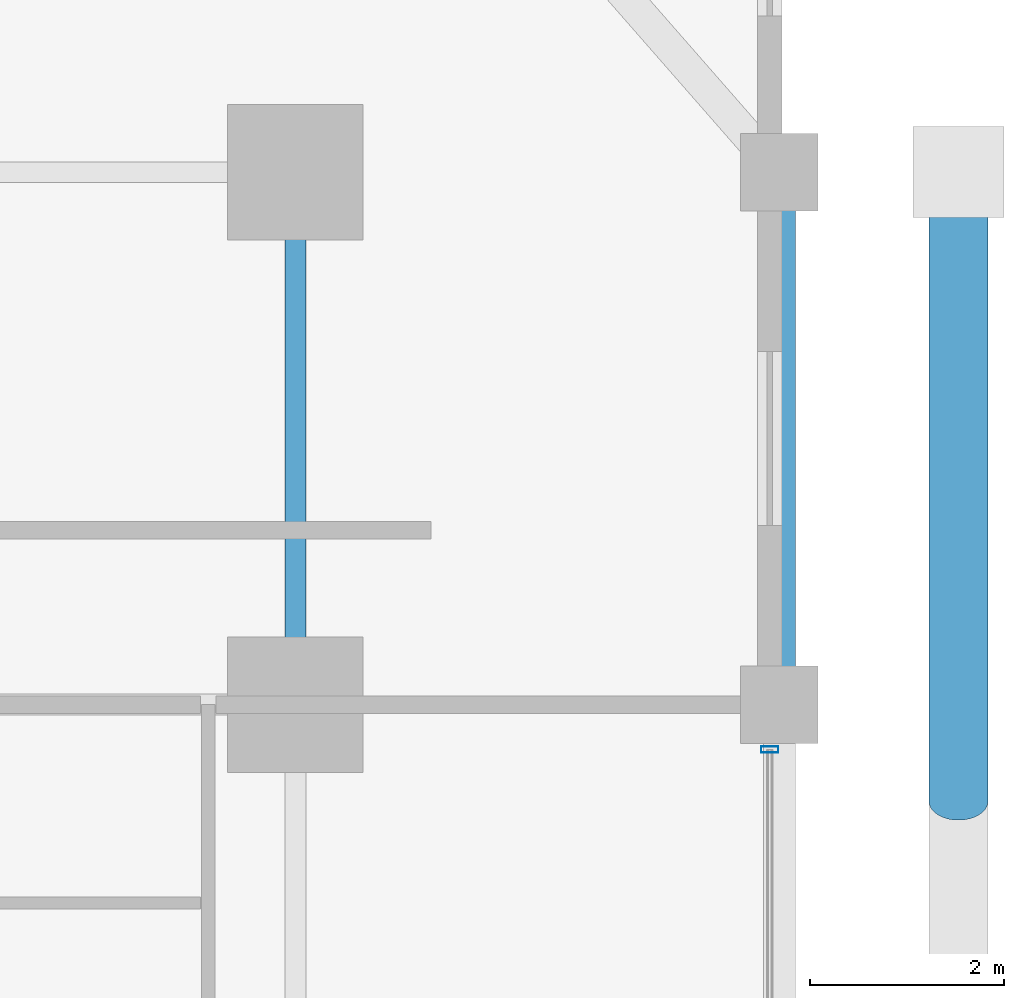
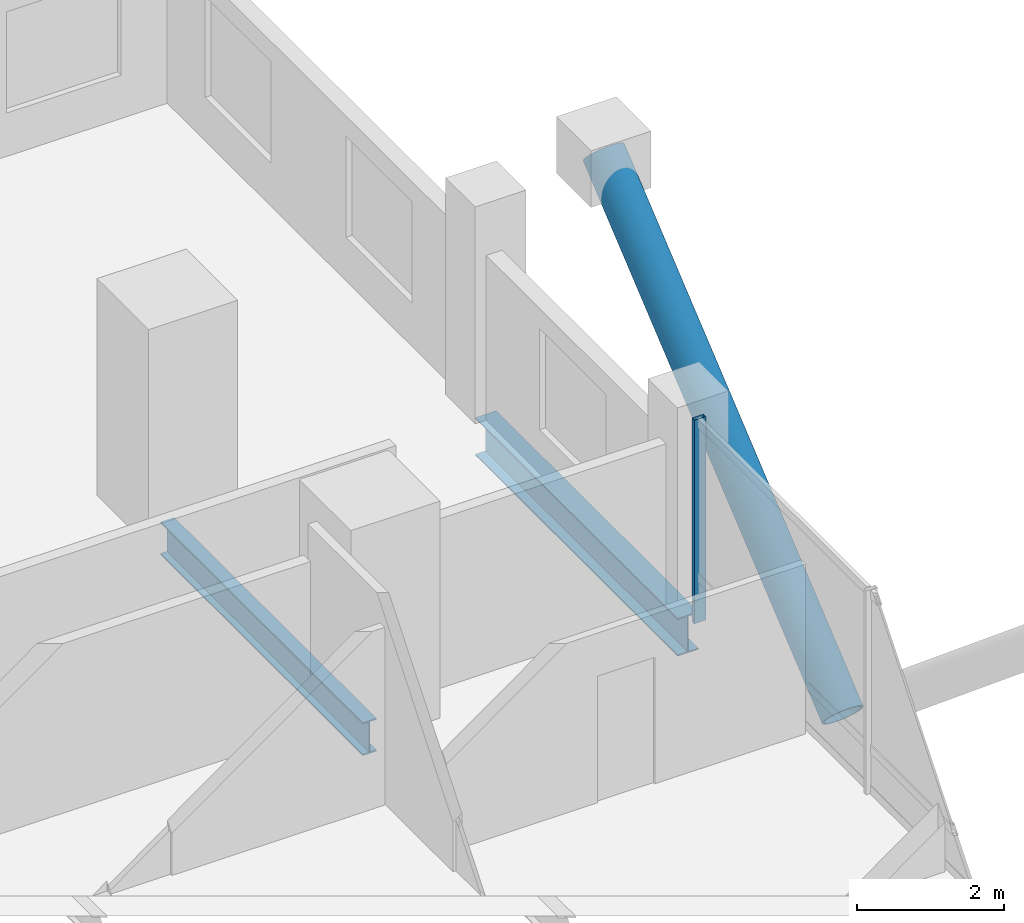
# One storey, part 15 of 23: 2 beams, 2 members, 1 element without a shape of its own.
"""IFC4 building model written with IfcOpenShell, lengths in metres."""

from ifc_helpers import new_model, si_unit, direction, frame, origin, origin_2d, place, context, subcontext, project, spatial, hollow_rectangle, hollow_circle, i_section, extrude, material, layer, layer_set, material_profile, profile_set, type_object, element, aggregate, save


model = new_model("IFC4")

# Units and contexts
model_context = context("Model", 3, precision=1e-05, world=origin(), true_north=direction((0.0, 1.0)))
body_context = subcontext(model_context, "Body", "Model", "MODEL_VIEW")
ifc_project = project(units=[si_unit("LENGTHUNIT", "METRE"), si_unit("AREAUNIT", "SQUARE_METRE"), si_unit("VOLUMEUNIT", "CUBIC_METRE"), si_unit("PLANEANGLEUNIT", "RADIAN"), si_unit("MASSUNIT", "GRAM", prefix="KILO")], contexts=[model_context])

# Site, building, storey
site_placement = place(None, origin())
site = spatial("IfcSite", under=ifc_project, at=site_placement, CompositionType="ELEMENT")
building_placement = place(site_placement, origin())
building = spatial("IfcBuilding", under=site, at=building_placement, Name="Barlavira Tower and Art Museum", CompositionType="ELEMENT")
storey_placement = place(building_placement, frame((0.0, 0.0, 68.39990234375)))
storey = spatial("IfcBuildingStorey", under=building, at=storey_placement, Name="L16", CompositionType="ELEMENT", Elevation=68.39990234375)

# Curtain wall, member
ifc_material_1 = material(Name="Low-iron coastal laminated glass", Category="glass")
ifc_layer = layer(ifc_material_1, 0.179931640625, Name="Low-iron coastal laminated glass")
ifc_layer_set = layer_set([ifc_layer], Name="Low-iron coastal laminated glass")
curtain_wall_type = type_object("IfcCurtainWallType", Name="Pale-Metal Unitised Curtain Wall Zone 1", PredefinedType="NOTDEFINED", material=ifc_layer_set)
curtain_wall_placement = place(storey_placement, origin())
curtain_wall = element("IfcCurtainWall", 1, at=curtain_wall_placement, inside=storey, type_object=curtain_wall_type, Name="L16 Curtain Wall CW1-L16-E-B3", PredefinedType="NOTDEFINED")
ifc_material_2 = material(Name="Pale anodised aluminium", Category="aluminium")
ifc_material_profile_1 = material_profile(ifc_material_2, hollow_rectangle(XDim=0.06494140625, YDim=0.179931640625, WallThickness=0.00390625, at=origin_2d()), Name="ALU-MULL 65x180x4")
ifc_profile_set_1 = profile_set([ifc_material_profile_1], Name="Pale anodised aluminium")
member_type_1 = type_object("IfcMemberType", Name="Curtain Wall Pale-Metal Mullion 65x180", PredefinedType="MULLION", material=ifc_profile_set_1)
member_1_placement = place(storey_placement, frame((21.89990234375, 7.034912109375, 0.0), z_axis=(0.0, 0.0, 1.0), x_axis=(0.0, 1.0, 0.0)))
member_1 = element("IfcMember", 2, at=member_1_placement, type_object=member_type_1, Name="CW1-L16-E-B3 Mullion 3", PredefinedType="MULLION", context=body_context, shape_type="SweptSolid", body=[
    extrude(hollow_rectangle(XDim=0.06494140625, YDim=0.179931640625, WallThickness=0.00390625, at=origin_2d()), origin(), (0.0, 0.0, 1.0), 3.380126953125),
])
aggregate(curtain_wall, [member_1])

# Member
ifc_material_3 = material(Name="Steel S355", Category="steel")
ifc_material_profile_2 = material_profile(ifc_material_3, hollow_circle(Radius=0.304931640625, WallThickness=0.028076171875, at=origin_2d()), Name="CHS 610.0x28.0")
ifc_profile_set_2 = profile_set([ifc_material_profile_2], Name="Steel S355")
member_type_2 = type_object("IfcMemberType", Name="Pale-Metal Exoskeleton Diagrid Tube CHS 610x28 Steel S355", PredefinedType="BRACE", material=ifc_profile_set_2)
member_2_placement = place(storey_placement, frame((23.85009765625, 6.5, -1.919921875), z_axis=(0.0, 0.769196053329, 0.639012857104), x_axis=(-1.0, 0.0, 0.0)))
element("IfcMember", 3, at=member_2_placement, inside=storey, type_object=member_type_2, Name="L16 Exoskeleton Diagrid Tube E", PredefinedType="BRACE", context=body_context, shape_type="SweptSolid", body=[
    extrude(hollow_circle(Radius=0.304931640625, WallThickness=0.028076171875, at=origin_2d()), origin(), (0.0, 0.0, 1.0), 8.450439453125),
])

# Beams
ifc_material_profile_3 = material_profile(ifc_material_3, i_section(OverallWidth=0.327880859375, OverallDepth=0.62890625, WebThickness=0.013916015625, FlangeThickness=0.021484375, at=origin_2d()), Name="W610x174.0")
ifc_profile_set_3 = profile_set([ifc_material_profile_3], Name="Steel S355")
beam_type_1 = type_object("IfcBeamType", Name="Perimeter Spandrel Edge Beam W610x174 Steel S355", PredefinedType="SPANDREL", material=ifc_profile_set_3)
beam_1_placement = place(storey_placement, frame((22.0, 7.5, -0.534423828125), z_axis=(0.0, 1.0, 0.0), x_axis=(-1.0, 0.0, 0.0)))
element("IfcBeam", 4, at=beam_1_placement, inside=storey, type_object=beam_type_1, Name="L16 Spandrel 7", PredefinedType="SPANDREL", context=body_context, shape_type="SweptSolid", body=[
    extrude(i_section(OverallWidth=0.327880859375, OverallDepth=0.62890625, WebThickness=0.013916015625, FlangeThickness=0.021484375, at=origin_2d()), origin(), (0.0, 0.0, 1.0), 5.5),
])
ifc_material_profile_4 = material_profile(ifc_material_3, i_section(OverallWidth=0.214111328125, OverallDepth=0.549072265625, WebThickness=0.0146484375, FlangeThickness=0.023681640625, at=origin_2d()), Name="W530x138.0")
ifc_profile_set_4 = profile_set([ifc_material_profile_4], Name="Steel S355")
beam_type_2 = type_object("IfcBeamType", Name="Zone 1 Primary Floor Girder W530x138 Steel S355", PredefinedType="BEAM", material=ifc_profile_set_4)
beam_2_placement = place(storey_placement, frame((17.0, 7.5, -0.494384765625), z_axis=(0.0, 1.0, 0.0), x_axis=(-1.0, 0.0, 0.0)))
element("IfcBeam", 5, at=beam_2_placement, inside=storey, type_object=beam_type_2, Name="L16 Girder M-E3", PredefinedType="BEAM", context=body_context, shape_type="SweptSolid", body=[
    extrude(i_section(OverallWidth=0.214111328125, OverallDepth=0.549072265625, WebThickness=0.0146484375, FlangeThickness=0.023681640625, at=origin_2d()), origin(), (0.0, 0.0, 1.0), 5.5),
])

save(model, "model.ifc")
